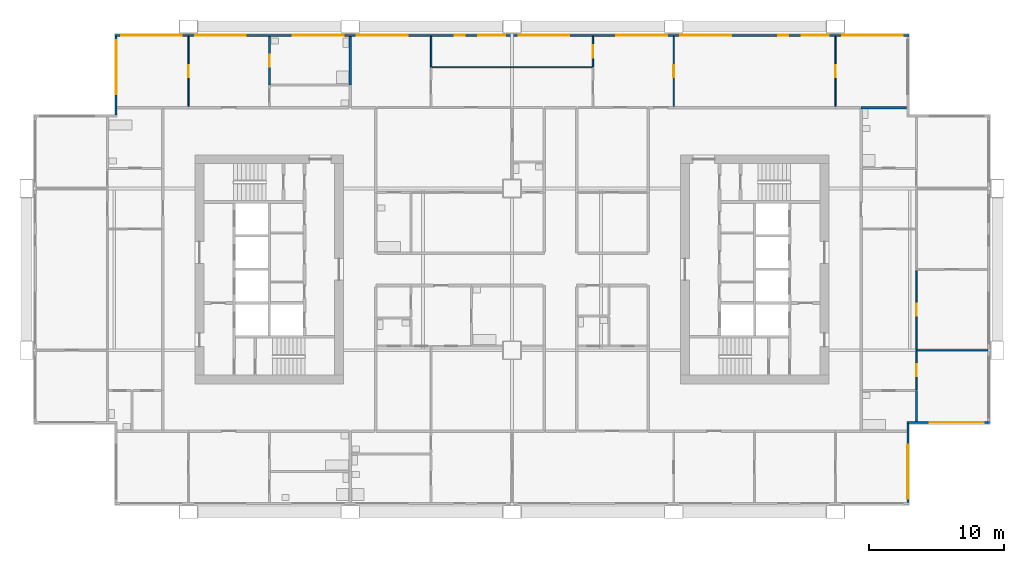
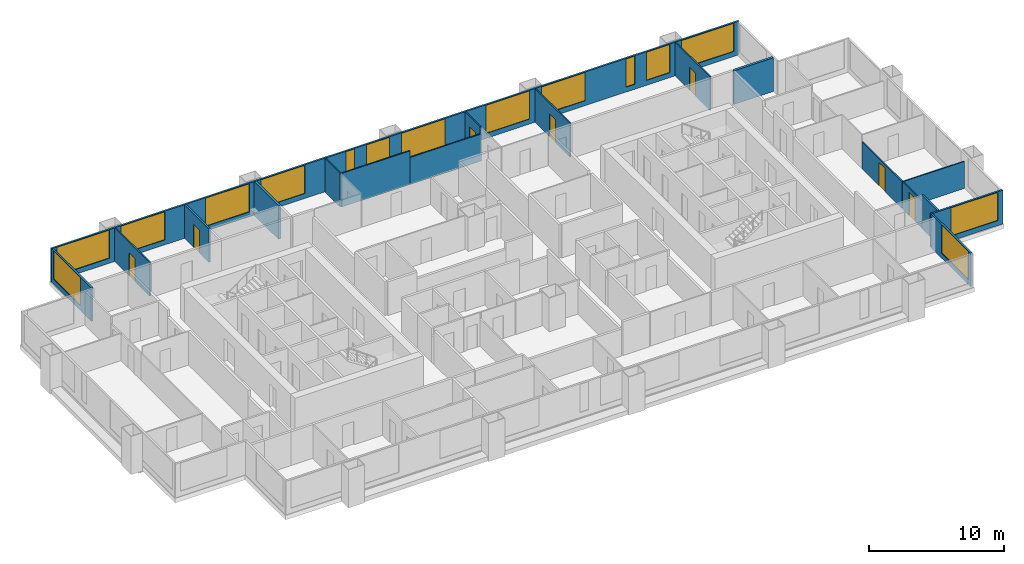
# One storey, part 8 of 11: 18 walls, 15 windows, 7 doors, 22 openings.
"""IFC4 building model written with IfcOpenShell, lengths in metres."""

import ifcopenshell
import ifcopenshell.guid

model = None  # the IFC model being written
_history = None  # IfcOwnerHistory: only IFC2X3 demands one
_inside = {}  # id of a spatial element -> (the spatial element, [elements in it])
_under = {}  # id of a project, library or spatial element -> (it, [spatial elements below it])
_declared = {}  # id of a project -> (the project, [libraries it declares])
_typed = {}  # id of a type object -> (the type object, [elements of that type])
_made_of = {}  # id of a material, layer set ... -> (it, [elements and type objects made of it])


def new_model(schema):
    """Start an empty IFC model of exactly this schema.

    Asked for "IFC4X3", IfcOpenShell would pick the latest addendum, in which some entities
    have other attributes; the version numbers below select the first issue.
    IFC2X3 requires an IfcOwnerHistory on every rooted entity: one is made here for all.
    """
    global model, _history
    if schema == "IFC4X3":
        model = ifcopenshell.file(schema_version=(4, 3, 0, 0))
    else:
        model = ifcopenshell.file(schema=schema)
    _inside.clear()
    _under.clear()
    _declared.clear()
    _typed.clear()
    _made_of.clear()
    _history = None
    if model.schema == "IFC2X3":
        org = make("IfcOrganization", Name="unknown")
        user = make(
            "IfcPersonAndOrganization",
            ThePerson=make("IfcPerson", FamilyName="unknown"),
            TheOrganization=org,
        )
        app = make(
            "IfcApplication",
            ApplicationDeveloper=org,
            Version="unknown",
            ApplicationFullName="unknown",
            ApplicationIdentifier="unknown",
        )
        _history = make(
            "IfcOwnerHistory",
            OwningUser=user,
            OwningApplication=app,
            ChangeAction="ADDED",
            CreationDate=0,
        )
    return model


def make(cls, **values):
    """One entity of the class cls with the attributes given. An attribute that is None is left unset."""
    return model.create_entity(
        cls, **{name: value for name, value in values.items() if value is not None}
    )


def rooted(cls, **values):
    """An entity with a GlobalId (a new one), such as an element, a storey or a relation."""
    return make(cls, GlobalId=ifcopenshell.guid.new(), OwnerHistory=_history, **values)


def si_unit(unit_type, name, prefix=None):
    """IfcSIUnit, for example si_unit("LENGTHUNIT", "METRE", prefix="MILLI")."""
    return make("IfcSIUnit", UnitType=unit_type, Prefix=prefix, Name=name)


def assignment(units):
    """IfcUnitAssignment: the units of a project."""
    return None if units is None else make("IfcUnitAssignment", Units=units)


def point(xyz):
    """IfcCartesianPoint."""
    return None if xyz is None else make("IfcCartesianPoint", Coordinates=xyz)


def direction(xyz):
    """IfcDirection."""
    return None if xyz is None else make("IfcDirection", DirectionRatios=xyz)


def frame(location, z_axis=None, x_axis=None):
    """IfcAxis2Placement3D, a coordinate frame: its origin and axes. An axis left out is left unset."""
    return make(
        "IfcAxis2Placement3D",
        Location=point(location),
        Axis=direction(z_axis),
        RefDirection=direction(x_axis),
    )


def frame_2d(location, x_axis=None):
    """IfcAxis2Placement2D, a coordinate frame in the plane: its origin and x axis."""
    return make(
        "IfcAxis2Placement2D", Location=point(location), RefDirection=direction(x_axis)
    )


def origin():
    """The frame at (0, 0, 0) with its axes left unset."""
    return frame((0.0, 0.0, 0.0))


def place(relative_to, where):
    """IfcLocalPlacement: puts the frame where relative to a parent placement (None: the world)."""
    return make(
        "IfcLocalPlacement", PlacementRelTo=relative_to, RelativePlacement=where
    )


def context(
    kind, dimensions, precision=None, world=None, true_north=None, identifier=None
):
    """IfcGeometricRepresentationContext, for example the 3D "Model" context."""
    return make(
        "IfcGeometricRepresentationContext",
        ContextIdentifier=identifier,
        ContextType=kind,
        CoordinateSpaceDimension=dimensions,
        Precision=precision,
        WorldCoordinateSystem=world,
        TrueNorth=true_north,
    )


def subcontext(parent, identifier, kind, view, scale=None):
    """IfcGeometricRepresentationSubContext, for example "Body" below "Model"."""
    return make(
        "IfcGeometricRepresentationSubContext",
        ContextIdentifier=identifier,
        ContextType=kind,
        ParentContext=parent,
        TargetScale=scale,
        TargetView=view,
    )


def project(units=None, contexts=None):
    """IfcProject with its units and contexts."""
    return rooted(
        "IfcProject",
        Name="project",
        RepresentationContexts=contexts,
        UnitsInContext=assignment(units),
    )


def spatial(cls, under=None, at=None, **own):
    """A site, building, storey or space (cls), placed at a placement, below another one or the project."""
    s = rooted(cls, ObjectPlacement=at, **own)
    if under is not None:
        _under.setdefault(under.id(), (under, []))[1].append(s)
    return s


def profile(cls, at=None, kind="AREA", **sizes):
    """A parametric profile (cls). Its sizes go by their IFC names, for example OverallWidth=200.0."""
    return make(cls, ProfileType=kind, Position=at, **sizes)


def rectangle(**sizes):
    """IfcRectangleProfileDef."""
    return profile("IfcRectangleProfileDef", **sizes)


def extrude(swept, where, along, depth):
    """IfcExtrudedAreaSolid: the profile swept, set in the frame where, extruded along a direction by depth."""
    return make(
        "IfcExtrudedAreaSolid",
        SweptArea=swept,
        Position=where,
        ExtrudedDirection=direction(along),
        Depth=depth,
    )


def shape(context_of_items, identifier, shape_type, items):
    """IfcShapeRepresentation: the items that make up one representation, for example the "Body"."""
    return make(
        "IfcShapeRepresentation",
        ContextOfItems=context_of_items,
        RepresentationIdentifier=identifier,
        RepresentationType=shape_type,
        Items=items,
    )


def material(Name=None, Category=None):
    """IfcMaterial."""
    return make("IfcMaterial", Name=Name, Category=Category)


def layer(
    of_material, thickness, ventilated=None, Name=None, Category=None, Priority=None
):
    """IfcMaterialLayer: one layer of a wall or slab, of a material (None: an air gap)."""
    return make(
        "IfcMaterialLayer",
        Material=of_material,
        LayerThickness=thickness,
        IsVentilated=ventilated,
        Name=Name,
        Category=Category,
        Priority=Priority,
    )


def layer_set(layers, Name=None):
    """IfcMaterialLayerSet."""
    return make("IfcMaterialLayerSet", MaterialLayers=layers, LayerSetName=Name)


def made_of(thing, what):
    """Note that an element or type object is made of a material, layer set ...; save() writes the relation."""
    if what is not None:
        _made_of.setdefault(what.id(), (what, []))[1].append(thing)
    return thing


def type_object(cls, material=None, **own):
    """A type object (cls), such as IfcWallType, which elements share."""
    return made_of(rooted(cls, **own), material)


def element(
    cls,
    number,
    at=None,
    inside=None,
    cuts=None,
    type_object=None,
    material=None,
    context=None,
    identifier="Body",
    shape_type=None,
    held_by="IfcProductDefinitionShape",
    body=None,
    shapes=None,
    **own,
):
    """One element of the class cls, such as IfcWall. Its Tag is "e" and its number.

    at: its placement. inside: the storey or other place that contains it. cuts: it is an
    opening in that element (IfcRelVoidsElement). A single representation is given by context,
    identifier, shape_type and body (its items); several are given by shapes. held_by: the class
    of the entity that holds the representations. save() writes the other relations.
    """
    e = rooted(cls, Tag="e%d" % number, ObjectPlacement=at, **own)
    if body is not None:
        shapes = [shape(context, identifier, shape_type, body)]
    if shapes is not None:
        e.Representation = make(held_by, Representations=shapes)
    if inside is not None:
        _inside.setdefault(inside.id(), (inside, []))[1].append(e)
    if cuts is not None:
        rooted(
            "IfcRelVoidsElement", RelatingBuildingElement=cuts, RelatedOpeningElement=e
        )
    if type_object is not None:
        _typed.setdefault(type_object.id(), (type_object, []))[1].append(e)
    return made_of(e, material)


def fill(opening, filler):
    """IfcRelFillsElement: the door or window that sits in an opening."""
    return rooted(
        "IfcRelFillsElement",
        RelatingOpeningElement=opening,
        RelatedBuildingElement=filler,
    )


def aggregate(whole, parts):
    """IfcRelAggregates: a whole, such as a stair, and the parts it consists of."""
    return rooted("IfcRelAggregates", RelatingObject=whole, RelatedObjects=parts)


def save(model, path):
    """Write the relations noted so far, then the file.

    IfcRelAggregates (storeys below a building ...), IfcRelContainedInSpatialStructure (elements
    in a storey), IfcRelDefinesByType, IfcRelAssociatesMaterial and IfcRelDeclares: one each for
    every whole, place, type object, material and project.
    """
    for whole, parts in _under.values():
        aggregate(whole, parts)
    for where, things in _inside.values():
        rooted(
            "IfcRelContainedInSpatialStructure",
            RelatedElements=things,
            RelatingStructure=where,
        )
    for kind, things in _typed.values():
        rooted("IfcRelDefinesByType", RelatedObjects=things, RelatingType=kind)
    for what, things in _made_of.values():
        rooted("IfcRelAssociatesMaterial", RelatedObjects=things, RelatingMaterial=what)
    for by, libraries in _declared.values():
        rooted("IfcRelDeclares", RelatingContext=by, RelatedDefinitions=libraries)
    model.write(path)


model = new_model("IFC4")

# Units and contexts
model_context = context("Model", 3, precision=1e-05, world=origin(), true_north=direction((0.0, 1.0)))
body_context = subcontext(model_context, "Body", "Model", "MODEL_VIEW")
ifc_project = project(units=[si_unit("LENGTHUNIT", "METRE"), si_unit("AREAUNIT", "SQUARE_METRE"), si_unit("VOLUMEUNIT", "CUBIC_METRE"), si_unit("PLANEANGLEUNIT", "RADIAN"), si_unit("MASSUNIT", "GRAM", prefix="KILO")], contexts=[model_context])

# Site, building, storey
site_placement = place(None, origin())
site = spatial("IfcSite", under=ifc_project, at=site_placement, CompositionType="ELEMENT")
building_placement = place(site_placement, origin())
building = spatial("IfcBuilding", under=site, at=building_placement, Name="Kitamizu Gate Tower and Museum", CompositionType="ELEMENT")
storey_placement = place(building_placement, frame((0.0, 0.0, 141.449951171875)))
storey = spatial("IfcBuildingStorey", under=building, at=storey_placement, Name="L37", CompositionType="ELEMENT", Elevation=141.449951171875)

# Wall
ifc_material_1 = material(Name="Gypsum board on galvanised stud")
ifc_layer_1 = layer(ifc_material_1, 0.10009765625)
ifc_layer_set_1 = layer_set([ifc_layer_1], Name="Gypsum board on galvanised stud")
wall_type_1 = type_object("IfcWallType", Name="Partition 100 NOT RATED", PredefinedType="PARTITIONING", material=ifc_layer_set_1)
wall_1_placement = place(storey_placement, frame((71.280029296875, 24.0, 0.0), z_axis=(0.0, 0.0, 1.0), x_axis=(-1.0, 0.0, 0.0)))
element("IfcWall", 1, at=wall_1_placement, inside=storey, type_object=wall_type_1, Name="Partition L37-084", PredefinedType="PARTITIONING", context=body_context, shape_type="SweptSolid", body=[
    extrude(rectangle(XDim=5.280029296875, YDim=0.10009765625, at=frame_2d((2.64013671875, 0.0))), origin(), (0.0, 0.0, 1.0), 2.449951171875),
])

# Wall, opening, door
wall_2_placement = place(storey_placement, frame((66.0, 23.949951171875, 0.0), z_axis=(0.0, 0.0, 1.0), x_axis=(0.0, -1.0, 0.0)))
wall_2 = element("IfcWall", 2, at=wall_2_placement, inside=storey, type_object=wall_type_1, Name="Partition L37-086", PredefinedType="PARTITIONING", context=body_context, shape_type="SweptSolid", body=[
    extrude(rectangle(XDim=2.875, YDim=0.10009765625, at=frame_2d((1.4375, 0.0))), origin(), (0.0, 0.0, 1.0), 2.449951171875),
])
opening_1_placement = place(wall_2_placement, frame((0.987548828125, 0.0, 0.0)))
opening_1 = element("IfcOpeningElement", 3, at=opening_1_placement, cuts=wall_2, Name="Opening L37-032", PredefinedType="OPENING", context=body_context, shape_type="SweptSolid", body=[
    extrude(rectangle(XDim=0.89990234375, YDim=2.10009765625, at=frame_2d((0.449951171875, 1.050048828125))), frame((0.0, 0.06005859375, 0.0), z_axis=(0.0, -1.0, 0.0), x_axis=(1.0, 0.0, 0.0)), (0.0, 0.0, 1.0), 0.1201171875),
])
ifc_material_2 = material(Name="Timber door set", Category="wood")
door_type_1 = type_object("IfcDoorType", Name="Room door 900", OperationType="NOTDEFINED", PredefinedType="DOOR", material=ifc_material_2)
door_1_placement = place(opening_1_placement, origin())
door_1 = element("IfcDoor", 4, at=door_1_placement, inside=storey, type_object=door_type_1, Name="Door L37-032", OperationType="SINGLE_SWING_RIGHT", OverallHeight=2.10009765625, OverallWidth=0.89990234375, PredefinedType="DOOR", context=body_context, shape_type="SweptSolid", body=[
    extrude(rectangle(XDim=0.89990234375, YDim=2.10009765625, at=frame_2d((0.449951171875, 1.050048828125))), frame((0.0, 0.02490234375, 0.0), z_axis=(0.0, -1.0, 0.0), x_axis=(1.0, 0.0, 0.0)), (0.0, 0.0, 1.0), 0.050048828125),
])
fill(opening_1, door_1)

wall_3_placement = place(storey_placement, frame((66.0, 29.949951171875, 0.0), z_axis=(0.0, 0.0, 1.0), x_axis=(0.0, -1.0, 0.0)))
wall_3 = element("IfcWall", 5, at=wall_3_placement, inside=storey, type_object=wall_type_1, Name="Partition L37-088", PredefinedType="PARTITIONING", context=body_context, shape_type="SweptSolid", body=[
    extrude(rectangle(XDim=5.89990234375, YDim=0.10009765625, at=frame_2d((2.949951171875, 0.0))), origin(), (0.0, 0.0, 1.0), 2.449951171875),
])
opening_2_placement = place(wall_3_placement, frame((2.5, 0.0, 0.0)))
opening_2 = element("IfcOpeningElement", 6, at=opening_2_placement, cuts=wall_3, Name="Opening L37-033", PredefinedType="OPENING", context=body_context, shape_type="SweptSolid", body=[
    extrude(rectangle(XDim=0.89990234375, YDim=2.10009765625, at=frame_2d((0.449951171875, 1.050048828125))), frame((0.0, 0.06005859375, 0.0), z_axis=(0.0, -1.0, 0.0), x_axis=(1.0, 0.0, 0.0)), (0.0, 0.0, 1.0), 0.1201171875),
])
door_2_placement = place(opening_2_placement, origin())
door_2 = element("IfcDoor", 7, at=door_2_placement, inside=storey, type_object=door_type_1, Name="Door L37-033", OperationType="SINGLE_SWING_LEFT", OverallHeight=2.10009765625, OverallWidth=0.89990234375, PredefinedType="DOOR", context=body_context, shape_type="SweptSolid", body=[
    extrude(rectangle(XDim=0.89990234375, YDim=2.10009765625, at=frame_2d((0.449951171875, 1.050048828125))), frame((0.0, 0.02490234375, 0.0), z_axis=(0.0, -1.0, 0.0), x_axis=(1.0, 0.0, 0.0)), (0.0, 0.0, 1.0), 0.050048828125),
])
fill(opening_2, door_2)

wall_4_placement = place(storey_placement, frame((12.0, 42.10009765625, 0.0), z_axis=(0.0, 0.0, 1.0), x_axis=(0.0, 1.0, 0.0)))
wall_4 = element("IfcWall", 8, at=wall_4_placement, inside=storey, type_object=wall_type_1, Name="Partition L37-104", PredefinedType="PARTITIONING", context=body_context, shape_type="SweptSolid", body=[
    extrude(rectangle(XDim=5.179931640625, YDim=0.10009765625, at=frame_2d((2.58984375, 0.0))), origin(), (0.0, 0.0, 1.0), 3.050048828125),
])
opening_3_placement = place(wall_4_placement, frame((2.139892578125, 0.0, 0.0)))
opening_3 = element("IfcOpeningElement", 9, at=opening_3_placement, cuts=wall_4, Name="Opening L37-039", PredefinedType="OPENING", context=body_context, shape_type="SweptSolid", body=[
    extrude(rectangle(XDim=0.89990234375, YDim=2.10009765625, at=frame_2d((0.449951171875, 1.050048828125))), frame((0.0, 0.06005859375, 0.0), z_axis=(0.0, -1.0, 0.0), x_axis=(1.0, 0.0, 0.0)), (0.0, 0.0, 1.0), 0.1201171875),
])
door_3_placement = place(opening_3_placement, origin())
door_3 = element("IfcDoor", 10, at=door_3_placement, inside=storey, type_object=door_type_1, Name="Door L37-039", OperationType="SINGLE_SWING_RIGHT", OverallHeight=2.10009765625, OverallWidth=0.89990234375, PredefinedType="DOOR", context=body_context, shape_type="SweptSolid", body=[
    extrude(rectangle(XDim=0.89990234375, YDim=2.10009765625, at=frame_2d((0.449951171875, 1.050048828125))), frame((0.0, 0.02490234375, 0.0), z_axis=(0.0, -1.0, 0.0), x_axis=(1.0, 0.0, 0.0)), (0.0, 0.0, 1.0), 0.050048828125),
])
fill(opening_3, door_3)

# Walls
wall_5_placement = place(storey_placement, frame((30.0, 45.0, 0.0), z_axis=(0.0, 0.0, 1.0), x_axis=(0.0, 1.0, 0.0)))
element("IfcWall", 11, at=wall_5_placement, inside=storey, type_object=wall_type_1, Name="Partition L37-114", PredefinedType="PARTITIONING", context=body_context, shape_type="SweptSolid", body=[
    extrude(rectangle(XDim=2.280029296875, YDim=0.10009765625, at=frame_2d((1.14013671875, 0.0))), origin(), (0.0, 0.0, 1.0), 3.050048828125),
])
wall_6_placement = place(storey_placement, frame((42.0, 45.0, 0.0), z_axis=(0.0, 0.0, 1.0), x_axis=(-1.0, 0.0, 0.0)))
element("IfcWall", 12, at=wall_6_placement, inside=storey, type_object=wall_type_1, Name="Partition L37-117", PredefinedType="PARTITIONING", context=body_context, shape_type="SweptSolid", body=[
    extrude(rectangle(XDim=6.10009765625, YDim=0.10009765625, at=frame_2d((3.050048828125, 0.0))), origin(), (0.0, 0.0, 1.0), 2.449951171875),
])
wall_7_placement = place(storey_placement, frame((35.89990234375, 45.0, 0.0), z_axis=(0.0, 0.0, 1.0), x_axis=(-1.0, 0.0, 0.0)))
element("IfcWall", 13, at=wall_7_placement, inside=storey, type_object=wall_type_1, Name="Partition L37-118", PredefinedType="PARTITIONING", context=body_context, shape_type="SweptSolid", body=[
    extrude(rectangle(XDim=5.849853515625, YDim=0.10009765625, at=frame_2d((2.9248046875, 0.0))), origin(), (0.0, 0.0, 1.0), 3.050048828125),
])

# Wall, opening, door
wall_8_placement = place(storey_placement, frame((42.0, 45.050048828125, 0.0), z_axis=(0.0, 0.0, 1.0), x_axis=(0.0, 1.0, 0.0)))
wall_8 = element("IfcWall", 14, at=wall_8_placement, inside=storey, type_object=wall_type_1, Name="Partition L37-124", PredefinedType="PARTITIONING", context=body_context, shape_type="SweptSolid", body=[
    extrude(rectangle(XDim=2.22998046875, YDim=0.10009765625, at=frame_2d((1.114990234375, 0.0))), origin(), (0.0, 0.0, 1.0), 3.050048828125),
])
opening_4_placement = place(wall_8_placement, frame((0.6650390625, 0.0, 0.0)))
opening_4 = element("IfcOpeningElement", 15, at=opening_4_placement, cuts=wall_8, Name="Opening L37-045", PredefinedType="OPENING", context=body_context, shape_type="SweptSolid", body=[
    extrude(rectangle(XDim=0.89990234375, YDim=2.10009765625, at=frame_2d((0.449951171875, 1.050048828125))), frame((0.0, 0.06005859375, 0.0), z_axis=(0.0, -1.0, 0.0), x_axis=(1.0, 0.0, 0.0)), (0.0, 0.0, 1.0), 0.1201171875),
])
door_4_placement = place(opening_4_placement, origin())
door_4 = element("IfcDoor", 16, at=door_4_placement, inside=storey, type_object=door_type_1, Name="Door L37-045", OperationType="SINGLE_SWING_LEFT", OverallHeight=2.10009765625, OverallWidth=0.89990234375, PredefinedType="DOOR", context=body_context, shape_type="SweptSolid", body=[
    extrude(rectangle(XDim=0.89990234375, YDim=2.10009765625, at=frame_2d((0.449951171875, 1.050048828125))), frame((0.0, 0.02490234375, 0.0), z_axis=(0.0, -1.0, 0.0), x_axis=(1.0, 0.0, 0.0)), (0.0, 0.0, 1.0), 0.050048828125),
])
fill(opening_4, door_4)

wall_9_placement = place(storey_placement, frame((48.0, 42.10009765625, 0.0), z_axis=(0.0, 0.0, 1.0), x_axis=(0.0, 1.0, 0.0)))
wall_9 = element("IfcWall", 17, at=wall_9_placement, inside=storey, type_object=wall_type_1, Name="Partition L37-125", PredefinedType="PARTITIONING", context=body_context, shape_type="SweptSolid", body=[
    extrude(rectangle(XDim=5.179931640625, YDim=0.10009765625, at=frame_2d((2.58984375, 0.0))), origin(), (0.0, 0.0, 1.0), 3.050048828125),
])
opening_5_placement = place(wall_9_placement, frame((2.139892578125, 0.0, 0.0)))
opening_5 = element("IfcOpeningElement", 18, at=opening_5_placement, cuts=wall_9, Name="Opening L37-043", PredefinedType="OPENING", context=body_context, shape_type="SweptSolid", body=[
    extrude(rectangle(XDim=0.89990234375, YDim=2.10009765625, at=frame_2d((0.449951171875, 1.050048828125))), frame((0.0, 0.06005859375, 0.0), z_axis=(0.0, -1.0, 0.0), x_axis=(1.0, 0.0, 0.0)), (0.0, 0.0, 1.0), 0.1201171875),
])
door_5_placement = place(opening_5_placement, frame((0.89990234375, 0.0, 0.0), x_axis=(-1.0, 0.0, 0.0)))
door_5 = element("IfcDoor", 19, at=door_5_placement, inside=storey, type_object=door_type_1, Name="Door L37-043", OperationType="SINGLE_SWING_RIGHT", OverallHeight=2.10009765625, OverallWidth=0.89990234375, PredefinedType="DOOR", context=body_context, shape_type="SweptSolid", body=[
    extrude(rectangle(XDim=0.89990234375, YDim=2.10009765625, at=frame_2d((0.449951171875, 1.050048828125))), frame((0.0, 0.02490234375, 0.0), z_axis=(0.0, -1.0, 0.0), x_axis=(1.0, 0.0, 0.0)), (0.0, 0.0, 1.0), 0.050048828125),
])
fill(opening_5, door_5)

wall_10_placement = place(storey_placement, frame((60.0, 42.10009765625, 0.0), z_axis=(0.0, 0.0, 1.0), x_axis=(0.0, 1.0, 0.0)))
wall_10 = element("IfcWall", 20, at=wall_10_placement, inside=storey, type_object=wall_type_1, Name="Partition L37-128", PredefinedType="PARTITIONING", context=body_context, shape_type="SweptSolid", body=[
    extrude(rectangle(XDim=5.179931640625, YDim=0.10009765625, at=frame_2d((2.58984375, 0.0))), origin(), (0.0, 0.0, 1.0), 3.050048828125),
])
opening_6_placement = place(wall_10_placement, frame((2.139892578125, 0.0, 0.0)))
opening_6 = element("IfcOpeningElement", 21, at=opening_6_placement, cuts=wall_10, Name="Opening L37-046", PredefinedType="OPENING", context=body_context, shape_type="SweptSolid", body=[
    extrude(rectangle(XDim=0.89990234375, YDim=2.10009765625, at=frame_2d((0.449951171875, 1.050048828125))), frame((0.0, 0.06005859375, 0.0), z_axis=(0.0, -1.0, 0.0), x_axis=(1.0, 0.0, 0.0)), (0.0, 0.0, 1.0), 0.1201171875),
])
door_6_placement = place(opening_6_placement, frame((0.89990234375, 0.0, 0.0), x_axis=(-1.0, 0.0, 0.0)))
door_6 = element("IfcDoor", 22, at=door_6_placement, inside=storey, type_object=door_type_1, Name="Door L37-046", OperationType="SINGLE_SWING_LEFT", OverallHeight=2.10009765625, OverallWidth=0.89990234375, PredefinedType="DOOR", context=body_context, shape_type="SweptSolid", body=[
    extrude(rectangle(XDim=0.89990234375, YDim=2.10009765625, at=frame_2d((0.449951171875, 1.050048828125))), frame((0.0, 0.02490234375, 0.0), z_axis=(0.0, -1.0, 0.0), x_axis=(1.0, 0.0, 0.0)), (0.0, 0.0, 1.0), 0.050048828125),
])
fill(opening_6, door_6)

# Wall
ifc_material_3 = material(Name="Gypsum board on galvanised stud")
ifc_layer_2 = layer(ifc_material_3, 0.14990234375)
ifc_layer_set_2 = layer_set([ifc_layer_2], Name="Gypsum board on galvanised stud")
wall_type_2 = type_object("IfcWallType", Name="Partition 150", PredefinedType="PARTITIONING", material=ifc_layer_set_2)
wall_11_placement = place(storey_placement, frame((66.0, 21.0, 0.0), z_axis=(0.0, 0.0, 1.0), x_axis=(0.0, -1.0, 0.0)))
element("IfcWall", 23, at=wall_11_placement, inside=storey, type_object=wall_type_2, Name="Partition L37-085", PredefinedType="PARTITIONING", context=body_context, shape_type="SweptSolid", body=[
    extrude(rectangle(XDim=2.280029296875, YDim=0.14990234375, at=frame_2d((1.14013671875, 0.0))), origin(), (0.0, 0.0, 1.0), 3.050048828125),
])

# Wall, opening, door
wall_12_placement = place(storey_placement, frame((18.0, 43.679931640625, 0.0), z_axis=(0.0, 0.0, 1.0), x_axis=(0.0, 1.0, 0.0)))
wall_12 = element("IfcWall", 24, at=wall_12_placement, inside=storey, type_object=wall_type_2, Name="Partition L37-106", PredefinedType="PARTITIONING", context=body_context, shape_type="SweptSolid", body=[
    extrude(rectangle(XDim=3.60009765625, YDim=0.14990234375, at=frame_2d((1.800048828125, 0.0))), origin(), (0.0, 0.0, 1.0), 3.050048828125),
])
opening_7_placement = place(wall_12_placement, frame((1.35009765625, 0.0, 0.0)))
opening_7 = element("IfcOpeningElement", 25, at=opening_7_placement, cuts=wall_12, Name="Opening L37-040", PredefinedType="OPENING", context=body_context, shape_type="SweptSolid", body=[
    extrude(rectangle(XDim=0.89990234375, YDim=2.10009765625, at=frame_2d((0.449951171875, 1.050048828125))), frame((0.0, 0.0849609375, 0.0), z_axis=(0.0, -1.0, 0.0), x_axis=(1.0, 0.0, 0.0)), (0.0, 0.0, 1.0), 0.169921875),
])
ifc_material_4 = material(Name="Timber door set", Category="wood")
door_type_2 = type_object("IfcDoorType", Name="Bathroom door 900", OperationType="NOTDEFINED", PredefinedType="DOOR", material=ifc_material_4)
door_7_placement = place(opening_7_placement, frame((0.89990234375, 0.0, 0.0), x_axis=(-1.0, 0.0, 0.0)))
door_7 = element("IfcDoor", 26, at=door_7_placement, inside=storey, type_object=door_type_2, Name="Bathroom door L37-040", OperationType="SINGLE_SWING_RIGHT", OverallHeight=2.10009765625, OverallWidth=0.89990234375, PredefinedType="DOOR", context=body_context, shape_type="SweptSolid", body=[
    extrude(rectangle(XDim=0.89990234375, YDim=2.10009765625, at=frame_2d((0.449951171875, 1.050048828125))), frame((0.0, 0.02490234375, 0.0), z_axis=(0.0, -1.0, 0.0), x_axis=(1.0, 0.0, 0.0)), (0.0, 0.0, 1.0), 0.050048828125),
])
fill(opening_7, door_7)

# Walls
ifc_material_5 = material(Name="Gypsum board on galvanised stud")
ifc_layer_3 = layer(ifc_material_5, 0.199951171875)
ifc_layer_set_3 = layer_set([ifc_layer_3], Name="Gypsum board on galvanised stud")
wall_type_3 = type_object("IfcWallType", Name="Partition 200", PredefinedType="PARTITIONING", material=ifc_layer_set_3)
wall_13_placement = place(storey_placement, frame((65.280029296875, 42.0, 0.0), z_axis=(0.0, 0.0, 1.0), x_axis=(-1.0, 0.0, 0.0)))
element("IfcWall", 27, at=wall_13_placement, inside=storey, type_object=wall_type_3, Name="Partition L37-102", PredefinedType="PARTITIONING", context=body_context, shape_type="SweptSolid", body=[
    extrude(rectangle(XDim=3.380126953125, YDim=0.199951171875, at=frame_2d((1.68994140625, 0.0))), origin(), (0.0, 0.0, 1.0), 3.050048828125),
])
wall_14_placement = place(storey_placement, frame((24.0, 43.679931640625, 0.0), z_axis=(0.0, 0.0, 1.0), x_axis=(0.0, 1.0, 0.0)))
element("IfcWall", 28, at=wall_14_placement, inside=storey, type_object=wall_type_3, Name="Partition L37-110", PredefinedType="PARTITIONING", context=body_context, shape_type="SweptSolid", body=[
    extrude(rectangle(XDim=3.60009765625, YDim=0.199951171875, at=frame_2d((1.800048828125, 0.0))), origin(), (0.0, 0.0, 1.0), 3.050048828125),
])

# Wall, opening, window
ifc_material_6 = material(Name="Bronze anodised aluminium frame with insulated spandrel and tinted glass", Category="aluminium")
ifc_layer_4 = layer(ifc_material_6, 0.14990234375)
ifc_layer_set_4 = layer_set([ifc_layer_4], Name="Bronze anodised aluminium frame with insulated spandrel and tinted glass")
wall_type_4 = type_object("IfcWallType", Name="WINDOW WALL 150 BRONZE FRAME EI 30", PredefinedType="ELEMENTEDWALL", material=ifc_layer_set_4)
wall_15_placement = place(storey_placement, frame((65.364990234375, 12.7099609375, 0.0), z_axis=(0.0, 0.0, 1.0), x_axis=(0.0, 1.0, 0.0)))
wall_15 = element("IfcWall", 29, at=wall_15_placement, inside=storey, type_object=wall_type_4, Name="Window wall east L37", PredefinedType="ELEMENTEDWALL", context=body_context, shape_type="SweptSolid", body=[
    extrude(rectangle(XDim=5.85009765625, YDim=0.14990234375, at=frame_2d((2.925048828125, 0.0))), origin(), (0.0, 0.0, 1.0), 3.050048828125),
])
opening_8_placement = place(wall_15_placement, frame((0.2900390625, 0.0, 0.449951171875)))
opening_8 = element("IfcOpeningElement", 30, at=opening_8_placement, cuts=wall_15, Name="Opening W16", PredefinedType="OPENING", context=body_context, shape_type="SweptSolid", body=[
    extrude(rectangle(XDim=4.0, YDim=2.550048828125, at=frame_2d((2.0, 1.27490234375))), frame((0.0, 0.0849609375, 0.0), z_axis=(0.0, -1.0, 0.0), x_axis=(1.0, 0.0, 0.0)), (0.0, 0.0, 1.0), 0.169921875),
])
ifc_material_7 = material(Name="Bronze anodised aluminium frame, tinted triple glazing", Category="aluminium")
window_type_1 = type_object("IfcWindowType", Name="WINDOW 4000 x 2550 SILL 450", PartitioningType="SINGLE_PANEL", PredefinedType="WINDOW", material=ifc_material_7)
window_1_placement = place(opening_8_placement, origin())
window_1 = element("IfcWindow", 31, at=window_1_placement, inside=storey, type_object=window_type_1, Name="Window W16 L37", OverallHeight=2.550048828125, OverallWidth=4.0, PartitioningType="SINGLE_PANEL", PredefinedType="WINDOW", context=body_context, shape_type="SweptSolid", body=[
    extrude(rectangle(XDim=4.0, YDim=2.550048828125, at=frame_2d((2.0, 1.27490234375))), frame((0.0, 0.030029296875, 0.0), z_axis=(0.0, -1.0, 0.0), x_axis=(1.0, 0.0, 0.0)), (0.0, 0.0, 1.0), 0.06005859375),
])
fill(opening_8, window_1)

wall_16_placement = place(storey_placement, frame((65.2900390625, 18.635009765625, 0.0), z_axis=(0.0, 0.0, 1.0), x_axis=(1.0, 0.0, 0.0)))
wall_16 = element("IfcWall", 32, at=wall_16_placement, inside=storey, type_object=wall_type_4, Name="Window wall south L37", PredefinedType="ELEMENTEDWALL", context=body_context, shape_type="SweptSolid", body=[
    extrude(rectangle(XDim=6.14990234375, YDim=0.14990234375, at=frame_2d((3.074951171875, 0.0))), origin(), (0.0, 0.0, 1.0), 3.050048828125),
])
opening_9_placement = place(wall_16_placement, frame((1.7099609375, 0.0, 0.449951171875)))
opening_9 = element("IfcOpeningElement", 33, at=opening_9_placement, cuts=wall_16, Name="Opening W16", PredefinedType="OPENING", context=body_context, shape_type="SweptSolid", body=[
    extrude(rectangle(XDim=4.0, YDim=2.550048828125, at=frame_2d((2.0, 1.27490234375))), frame((0.0, 0.0849609375, 0.0), z_axis=(0.0, -1.0, 0.0), x_axis=(1.0, 0.0, 0.0)), (0.0, 0.0, 1.0), 0.169921875),
])
window_2_placement = place(opening_9_placement, origin())
window_2 = element("IfcWindow", 34, at=window_2_placement, inside=storey, type_object=window_type_1, Name="Window W16 L37", OverallHeight=2.550048828125, OverallWidth=4.0, PartitioningType="SINGLE_PANEL", PredefinedType="WINDOW", context=body_context, shape_type="SweptSolid", body=[
    extrude(rectangle(XDim=4.0, YDim=2.550048828125, at=frame_2d((2.0, 1.27490234375))), frame((0.0, 0.030029296875, 0.0), z_axis=(0.0, -1.0, 0.0), x_axis=(1.0, 0.0, 0.0)), (0.0, 0.0, 1.0), 0.06005859375),
])
fill(opening_9, window_2)

# Wall, openings, windows
wall_17_placement = place(storey_placement, frame((6.56005859375, 47.364990234375, 0.0), z_axis=(0.0, 0.0, 1.0), x_axis=(1.0, 0.0, 0.0)))
wall_17 = element("IfcWall", 35, at=wall_17_placement, inside=storey, type_object=wall_type_4, Name="Window wall north L37", PredefinedType="ELEMENTEDWALL", context=body_context, shape_type="SweptSolid", body=[
    extrude(rectangle(XDim=58.8798828125, YDim=0.14990234375, at=frame_2d((29.43994140625, 0.0))), origin(), (0.0, 0.0, 1.0), 3.050048828125),
])
opening_10_placement = place(wall_17_placement, frame((0.43994140625, 0.0, 0.449951171875)))
opening_10 = element("IfcOpeningElement", 36, at=opening_10_placement, cuts=wall_17, Name="Opening W15", PredefinedType="OPENING", context=body_context, shape_type="SweptSolid", body=[
    extrude(rectangle(XDim=4.5, YDim=2.550048828125, at=frame_2d((2.25, 1.27490234375))), frame((0.0, 0.0849609375, 0.0), z_axis=(0.0, -1.0, 0.0), x_axis=(1.0, 0.0, 0.0)), (0.0, 0.0, 1.0), 0.169921875),
])
opening_11_placement = place(wall_17_placement, frame((5.93994140625, 0.0, 0.449951171875)))
opening_11 = element("IfcOpeningElement", 37, at=opening_11_placement, cuts=wall_17, Name="Opening W36", PredefinedType="OPENING", context=body_context, shape_type="SweptSolid", body=[
    extrude(rectangle(XDim=3.75, YDim=2.550048828125, at=frame_2d((1.875, 1.27490234375))), frame((0.0, 0.0849609375, 0.0), z_axis=(0.0, -1.0, 0.0), x_axis=(1.0, 0.0, 0.0)), (0.0, 0.0, 1.0), 0.169921875),
])
opening_12_placement = place(wall_17_placement, frame((13.18994140625, 0.0, 0.449951171875)))
opening_12 = element("IfcOpeningElement", 38, at=opening_12_placement, cuts=wall_17, Name="Opening W36", PredefinedType="OPENING", context=body_context, shape_type="SweptSolid", body=[
    extrude(rectangle(XDim=3.75, YDim=2.550048828125, at=frame_2d((1.875, 1.27490234375))), frame((0.0, 0.0849609375, 0.0), z_axis=(0.0, -1.0, 0.0), x_axis=(1.0, 0.0, 0.0)), (0.0, 0.0, 1.0), 0.169921875),
])
opening_13_placement = place(wall_17_placement, frame((17.93994140625, 0.0, 0.449951171875)))
opening_13 = element("IfcOpeningElement", 39, at=opening_13_placement, cuts=wall_17, Name="Opening W36", PredefinedType="OPENING", context=body_context, shape_type="SweptSolid", body=[
    extrude(rectangle(XDim=3.75, YDim=2.550048828125, at=frame_2d((1.875, 1.27490234375))), frame((0.0, 0.0849609375, 0.0), z_axis=(0.0, -1.0, 0.0), x_axis=(1.0, 0.0, 0.0)), (0.0, 0.0, 1.0), 0.169921875),
])
opening_14_placement = place(wall_17_placement, frame((25.18994140625, 0.0, 0.449951171875)))
opening_14 = element("IfcOpeningElement", 40, at=opening_14_placement, cuts=wall_17, Name="Opening W25", PredefinedType="OPENING", context=body_context, shape_type="SweptSolid", body=[
    extrude(rectangle(XDim=0.75, YDim=2.550048828125, at=frame_2d((0.375, 1.27490234375))), frame((0.0, 0.0849609375, 0.0), z_axis=(0.0, -1.0, 0.0), x_axis=(1.0, 0.0, 0.0)), (0.0, 0.0, 1.0), 0.169921875),
])
opening_15_placement = place(wall_17_placement, frame((26.93994140625, 0.0, 0.449951171875)))
opening_15 = element("IfcOpeningElement", 41, at=opening_15_placement, cuts=wall_17, Name="Opening W2", PredefinedType="OPENING", context=body_context, shape_type="SweptSolid", body=[
    extrude(rectangle(XDim=2.0, YDim=2.550048828125, at=frame_2d((1.0, 1.27490234375))), frame((0.0, 0.0849609375, 0.0), z_axis=(0.0, -1.0, 0.0), x_axis=(1.0, 0.0, 0.0)), (0.0, 0.0, 1.0), 0.169921875),
])
opening_16_placement = place(wall_17_placement, frame((29.93994140625, 0.0, 0.449951171875)))
opening_16 = element("IfcOpeningElement", 42, at=opening_16_placement, cuts=wall_17, Name="Opening W36", PredefinedType="OPENING", context=body_context, shape_type="SweptSolid", body=[
    extrude(rectangle(XDim=3.75, YDim=2.550048828125, at=frame_2d((1.875, 1.27490234375))), frame((0.0, 0.0849609375, 0.0), z_axis=(0.0, -1.0, 0.0), x_axis=(1.0, 0.0, 0.0)), (0.0, 0.0, 1.0), 0.169921875),
])
opening_17_placement = place(wall_17_placement, frame((37.18994140625, 0.0, 0.449951171875)))
opening_17 = element("IfcOpeningElement", 43, at=opening_17_placement, cuts=wall_17, Name="Opening W36", PredefinedType="OPENING", context=body_context, shape_type="SweptSolid", body=[
    extrude(rectangle(XDim=3.75, YDim=2.550048828125, at=frame_2d((1.875, 1.27490234375))), frame((0.0, 0.0849609375, 0.0), z_axis=(0.0, -1.0, 0.0), x_axis=(1.0, 0.0, 0.0)), (0.0, 0.0, 1.0), 0.169921875),
])
opening_18_placement = place(wall_17_placement, frame((41.93994140625, 0.0, 0.449951171875)))
opening_18 = element("IfcOpeningElement", 44, at=opening_18_placement, cuts=wall_17, Name="Opening W36", PredefinedType="OPENING", context=body_context, shape_type="SweptSolid", body=[
    extrude(rectangle(XDim=3.75, YDim=2.550048828125, at=frame_2d((1.875, 1.27490234375))), frame((0.0, 0.0849609375, 0.0), z_axis=(0.0, -1.0, 0.0), x_axis=(1.0, 0.0, 0.0)), (0.0, 0.0, 1.0), 0.169921875),
])
opening_19_placement = place(wall_17_placement, frame((49.18994140625, 0.0, 0.449951171875)))
opening_19 = element("IfcOpeningElement", 45, at=opening_19_placement, cuts=wall_17, Name="Opening W25", PredefinedType="OPENING", context=body_context, shape_type="SweptSolid", body=[
    extrude(rectangle(XDim=0.75, YDim=2.550048828125, at=frame_2d((0.375, 1.27490234375))), frame((0.0, 0.0849609375, 0.0), z_axis=(0.0, -1.0, 0.0), x_axis=(1.0, 0.0, 0.0)), (0.0, 0.0, 1.0), 0.169921875),
])
opening_20_placement = place(wall_17_placement, frame((50.93994140625, 0.0, 0.449951171875)))
opening_20 = element("IfcOpeningElement", 46, at=opening_20_placement, cuts=wall_17, Name="Opening W2", PredefinedType="OPENING", context=body_context, shape_type="SweptSolid", body=[
    extrude(rectangle(XDim=2.0, YDim=2.550048828125, at=frame_2d((1.0, 1.27490234375))), frame((0.0, 0.0849609375, 0.0), z_axis=(0.0, -1.0, 0.0), x_axis=(1.0, 0.0, 0.0)), (0.0, 0.0, 1.0), 0.169921875),
])
opening_21_placement = place(wall_17_placement, frame((53.93994140625, 0.0, 0.449951171875)))
opening_21 = element("IfcOpeningElement", 47, at=opening_21_placement, cuts=wall_17, Name="Opening W15", PredefinedType="OPENING", context=body_context, shape_type="SweptSolid", body=[
    extrude(rectangle(XDim=4.5, YDim=2.550048828125, at=frame_2d((2.25, 1.27490234375))), frame((0.0, 0.0849609375, 0.0), z_axis=(0.0, -1.0, 0.0), x_axis=(1.0, 0.0, 0.0)), (0.0, 0.0, 1.0), 0.169921875),
])
ifc_material_8 = material(Name="Bronze anodised aluminium frame, tinted triple glazing", Category="aluminium")
window_type_2 = type_object("IfcWindowType", Name="WINDOW 2000 x 2550 SILL 450", PartitioningType="SINGLE_PANEL", PredefinedType="WINDOW", material=ifc_material_8)
window_3_placement = place(opening_15_placement, origin())
window_3 = element("IfcWindow", 48, at=window_3_placement, inside=storey, type_object=window_type_2, Name="Window W2 L37", OverallHeight=2.550048828125, OverallWidth=2.0, PartitioningType="SINGLE_PANEL", PredefinedType="WINDOW", context=body_context, shape_type="SweptSolid", body=[
    extrude(rectangle(XDim=2.0, YDim=2.550048828125, at=frame_2d((1.0, 1.27490234375))), frame((0.0, 0.030029296875, 0.0), z_axis=(0.0, -1.0, 0.0), x_axis=(1.0, 0.0, 0.0)), (0.0, 0.0, 1.0), 0.06005859375),
])
fill(opening_15, window_3)
window_4_placement = place(opening_20_placement, origin())
window_4 = element("IfcWindow", 49, at=window_4_placement, inside=storey, type_object=window_type_2, Name="Window W2 L37", OverallHeight=2.550048828125, OverallWidth=2.0, PartitioningType="SINGLE_PANEL", PredefinedType="WINDOW", context=body_context, shape_type="SweptSolid", body=[
    extrude(rectangle(XDim=2.0, YDim=2.550048828125, at=frame_2d((1.0, 1.27490234375))), frame((0.0, 0.030029296875, 0.0), z_axis=(0.0, -1.0, 0.0), x_axis=(1.0, 0.0, 0.0)), (0.0, 0.0, 1.0), 0.06005859375),
])
fill(opening_20, window_4)
ifc_material_9 = material(Name="Bronze anodised aluminium frame, tinted triple glazing", Category="aluminium")
window_type_3 = type_object("IfcWindowType", Name="WINDOW 3750 x 2550 SILL 450", PartitioningType="SINGLE_PANEL", PredefinedType="WINDOW", material=ifc_material_9)
window_5_placement = place(opening_11_placement, origin())
window_5 = element("IfcWindow", 50, at=window_5_placement, inside=storey, type_object=window_type_3, Name="Window W36 L37", OverallHeight=2.550048828125, OverallWidth=3.75, PartitioningType="SINGLE_PANEL", PredefinedType="WINDOW", context=body_context, shape_type="SweptSolid", body=[
    extrude(rectangle(XDim=3.75, YDim=2.550048828125, at=frame_2d((1.875, 1.27490234375))), frame((0.0, 0.030029296875, 0.0), z_axis=(0.0, -1.0, 0.0), x_axis=(1.0, 0.0, 0.0)), (0.0, 0.0, 1.0), 0.06005859375),
])
fill(opening_11, window_5)
window_6_placement = place(opening_12_placement, origin())
window_6 = element("IfcWindow", 51, at=window_6_placement, inside=storey, type_object=window_type_3, Name="Window W36 L37", OverallHeight=2.550048828125, OverallWidth=3.75, PartitioningType="SINGLE_PANEL", PredefinedType="WINDOW", context=body_context, shape_type="SweptSolid", body=[
    extrude(rectangle(XDim=3.75, YDim=2.550048828125, at=frame_2d((1.875, 1.27490234375))), frame((0.0, 0.030029296875, 0.0), z_axis=(0.0, -1.0, 0.0), x_axis=(1.0, 0.0, 0.0)), (0.0, 0.0, 1.0), 0.06005859375),
])
fill(opening_12, window_6)
window_7_placement = place(opening_13_placement, origin())
window_7 = element("IfcWindow", 52, at=window_7_placement, inside=storey, type_object=window_type_3, Name="Window W36 L37", OverallHeight=2.550048828125, OverallWidth=3.75, PartitioningType="SINGLE_PANEL", PredefinedType="WINDOW", context=body_context, shape_type="SweptSolid", body=[
    extrude(rectangle(XDim=3.75, YDim=2.550048828125, at=frame_2d((1.875, 1.27490234375))), frame((0.0, 0.030029296875, 0.0), z_axis=(0.0, -1.0, 0.0), x_axis=(1.0, 0.0, 0.0)), (0.0, 0.0, 1.0), 0.06005859375),
])
fill(opening_13, window_7)
window_8_placement = place(opening_16_placement, origin())
window_8 = element("IfcWindow", 53, at=window_8_placement, inside=storey, type_object=window_type_3, Name="Window W36 L37", OverallHeight=2.550048828125, OverallWidth=3.75, PartitioningType="SINGLE_PANEL", PredefinedType="WINDOW", context=body_context, shape_type="SweptSolid", body=[
    extrude(rectangle(XDim=3.75, YDim=2.550048828125, at=frame_2d((1.875, 1.27490234375))), frame((0.0, 0.030029296875, 0.0), z_axis=(0.0, -1.0, 0.0), x_axis=(1.0, 0.0, 0.0)), (0.0, 0.0, 1.0), 0.06005859375),
])
fill(opening_16, window_8)
window_9_placement = place(opening_17_placement, origin())
window_9 = element("IfcWindow", 54, at=window_9_placement, inside=storey, type_object=window_type_3, Name="Window W36 L37", OverallHeight=2.550048828125, OverallWidth=3.75, PartitioningType="SINGLE_PANEL", PredefinedType="WINDOW", context=body_context, shape_type="SweptSolid", body=[
    extrude(rectangle(XDim=3.75, YDim=2.550048828125, at=frame_2d((1.875, 1.27490234375))), frame((0.0, 0.030029296875, 0.0), z_axis=(0.0, -1.0, 0.0), x_axis=(1.0, 0.0, 0.0)), (0.0, 0.0, 1.0), 0.06005859375),
])
fill(opening_17, window_9)
window_10_placement = place(opening_18_placement, origin())
window_10 = element("IfcWindow", 55, at=window_10_placement, inside=storey, type_object=window_type_3, Name="Window W36 L37", OverallHeight=2.550048828125, OverallWidth=3.75, PartitioningType="SINGLE_PANEL", PredefinedType="WINDOW", context=body_context, shape_type="SweptSolid", body=[
    extrude(rectangle(XDim=3.75, YDim=2.550048828125, at=frame_2d((1.875, 1.27490234375))), frame((0.0, 0.030029296875, 0.0), z_axis=(0.0, -1.0, 0.0), x_axis=(1.0, 0.0, 0.0)), (0.0, 0.0, 1.0), 0.06005859375),
])
fill(opening_18, window_10)
ifc_material_10 = material(Name="Bronze anodised aluminium frame, tinted triple glazing", Category="aluminium")
window_type_4 = type_object("IfcWindowType", Name="WINDOW 4500 x 2550 SILL 450", PartitioningType="SINGLE_PANEL", PredefinedType="WINDOW", material=ifc_material_10)
window_11_placement = place(opening_10_placement, origin())
window_11 = element("IfcWindow", 56, at=window_11_placement, inside=storey, type_object=window_type_4, Name="Window W15 L37", OverallHeight=2.550048828125, OverallWidth=4.5, PartitioningType="SINGLE_PANEL", PredefinedType="WINDOW", context=body_context, shape_type="SweptSolid", body=[
    extrude(rectangle(XDim=4.5, YDim=2.550048828125, at=frame_2d((2.25, 1.27490234375))), frame((0.0, 0.030029296875, 0.0), z_axis=(0.0, -1.0, 0.0), x_axis=(1.0, 0.0, 0.0)), (0.0, 0.0, 1.0), 0.06005859375),
])
fill(opening_10, window_11)
window_12_placement = place(opening_21_placement, origin())
window_12 = element("IfcWindow", 57, at=window_12_placement, inside=storey, type_object=window_type_4, Name="Window W15 L37", OverallHeight=2.550048828125, OverallWidth=4.5, PartitioningType="SINGLE_PANEL", PredefinedType="WINDOW", context=body_context, shape_type="SweptSolid", body=[
    extrude(rectangle(XDim=4.5, YDim=2.550048828125, at=frame_2d((2.25, 1.27490234375))), frame((0.0, 0.030029296875, 0.0), z_axis=(0.0, -1.0, 0.0), x_axis=(1.0, 0.0, 0.0)), (0.0, 0.0, 1.0), 0.06005859375),
])
fill(opening_21, window_12)
ifc_material_11 = material(Name="Bronze anodised aluminium frame, tinted triple glazing", Category="aluminium")
window_type_5 = type_object("IfcWindowType", Name="WINDOW 750 x 2550 SILL 450", PartitioningType="SINGLE_PANEL", PredefinedType="WINDOW", material=ifc_material_11)
window_13_placement = place(opening_14_placement, origin())
window_13 = element("IfcWindow", 58, at=window_13_placement, inside=storey, type_object=window_type_5, Name="Window W25 L37", OverallHeight=2.550048828125, OverallWidth=0.75, PartitioningType="SINGLE_PANEL", PredefinedType="WINDOW", context=body_context, shape_type="SweptSolid", body=[
    extrude(rectangle(XDim=0.75, YDim=2.550048828125, at=frame_2d((0.375, 1.27490234375))), frame((0.0, 0.030029296875, 0.0), z_axis=(0.0, -1.0, 0.0), x_axis=(1.0, 0.0, 0.0)), (0.0, 0.0, 1.0), 0.06005859375),
])
fill(opening_14, window_13)
window_14_placement = place(opening_19_placement, origin())
window_14 = element("IfcWindow", 59, at=window_14_placement, inside=storey, type_object=window_type_5, Name="Window W25 L37", OverallHeight=2.550048828125, OverallWidth=0.75, PartitioningType="SINGLE_PANEL", PredefinedType="WINDOW", context=body_context, shape_type="SweptSolid", body=[
    extrude(rectangle(XDim=0.75, YDim=2.550048828125, at=frame_2d((0.375, 1.27490234375))), frame((0.0, 0.030029296875, 0.0), z_axis=(0.0, -1.0, 0.0), x_axis=(1.0, 0.0, 0.0)), (0.0, 0.0, 1.0), 0.06005859375),
])
fill(opening_19, window_14)

# Wall, opening, window
wall_18_placement = place(storey_placement, frame((6.635009765625, 41.43994140625, 0.0), z_axis=(0.0, 0.0, 1.0), x_axis=(0.0, 1.0, 0.0)))
wall_18 = element("IfcWall", 60, at=wall_18_placement, inside=storey, type_object=wall_type_4, Name="Window wall west L37", PredefinedType="ELEMENTEDWALL", context=body_context, shape_type="SweptSolid", body=[
    extrude(rectangle(XDim=5.85009765625, YDim=0.14990234375, at=frame_2d((2.925048828125, 0.0))), origin(), (0.0, 0.0, 1.0), 3.050048828125),
])
opening_22_placement = place(wall_18_placement, frame((1.56005859375, 0.0, 0.449951171875)))
opening_22 = element("IfcOpeningElement", 61, at=opening_22_placement, cuts=wall_18, Name="Opening W16", PredefinedType="OPENING", context=body_context, shape_type="SweptSolid", body=[
    extrude(rectangle(XDim=4.0, YDim=2.550048828125, at=frame_2d((2.0, 1.27490234375))), frame((0.0, 0.0849609375, 0.0), z_axis=(0.0, -1.0, 0.0), x_axis=(1.0, 0.0, 0.0)), (0.0, 0.0, 1.0), 0.169921875),
])
window_15_placement = place(opening_22_placement, origin())
window_15 = element("IfcWindow", 62, at=window_15_placement, inside=storey, type_object=window_type_1, Name="Window W16 L37", OverallHeight=2.550048828125, OverallWidth=4.0, PartitioningType="SINGLE_PANEL", PredefinedType="WINDOW", context=body_context, shape_type="SweptSolid", body=[
    extrude(rectangle(XDim=4.0, YDim=2.550048828125, at=frame_2d((2.0, 1.27490234375))), frame((0.0, 0.030029296875, 0.0), z_axis=(0.0, -1.0, 0.0), x_axis=(1.0, 0.0, 0.0)), (0.0, 0.0, 1.0), 0.06005859375),
])
fill(opening_22, window_15)

save(model, "model.ifc")
